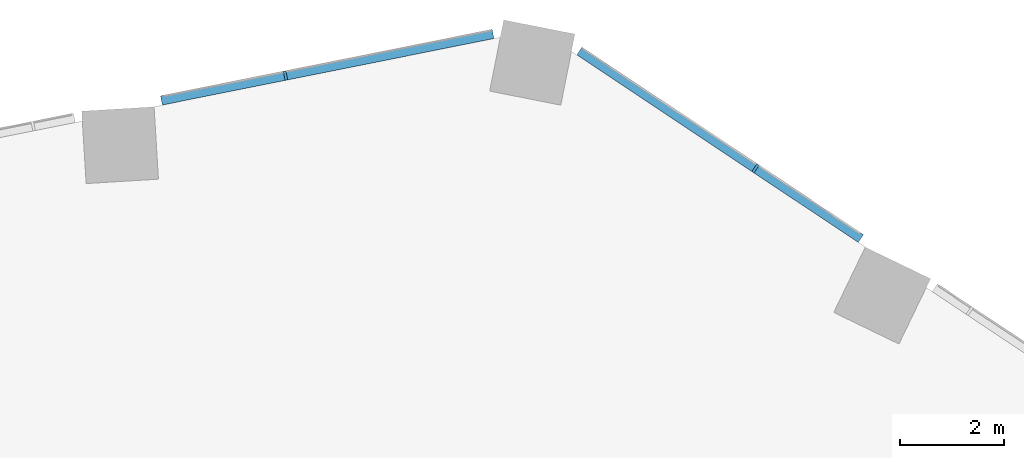
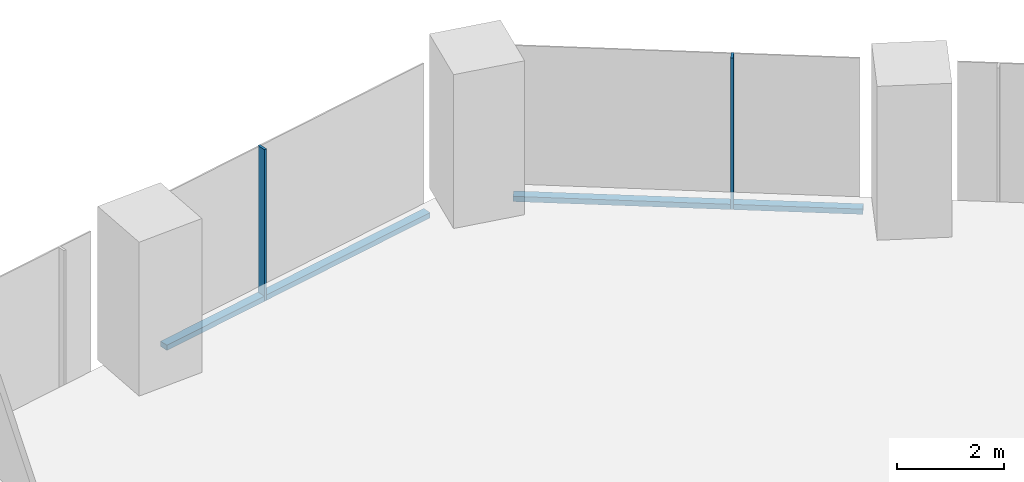
# One storey, part 14 of 38: 4 members, 2 elements without a shape of their own.
"""IFC4 building model written with IfcOpenShell, lengths in metres."""

from ifc_helpers import new_model, si_unit, direction, frame, origin, origin_2d, place, context, subcontext, project, spatial, rectangle, extrude, material, material_profile, profile_set, type_object, element, aggregate, save


model = new_model("IFC4")

# Units and contexts
model_context = context("Model", 3, precision=1e-05, world=origin(), true_north=direction((0.0, 1.0)))
body_context = subcontext(model_context, "Body", "Model", "MODEL_VIEW")
ifc_project = project(units=[si_unit("LENGTHUNIT", "METRE"), si_unit("AREAUNIT", "SQUARE_METRE"), si_unit("VOLUMEUNIT", "CUBIC_METRE"), si_unit("PLANEANGLEUNIT", "RADIAN"), si_unit("MASSUNIT", "GRAM", prefix="KILO")], contexts=[model_context])

# Site, building, storey
site_placement = place(None, origin())
site = spatial("IfcSite", under=ifc_project, at=site_placement, CompositionType="ELEMENT")
building_placement = place(site_placement, origin())
building = spatial("IfcBuilding", under=site, at=building_placement, Name="Orlundy Tower", CompositionType="ELEMENT")
storey_placement = place(building_placement, frame((0.0, 0.0, 69.300048828125)))
storey = spatial("IfcBuildingStorey", under=building, at=storey_placement, Name="L16", CompositionType="ELEMENT", Elevation=69.300048828125)

# Curtain wall, member
ifc_material_1 = material(Name="Aluminium bronze anodised", Category="aluminium")
curtain_wall_type = type_object("IfcCurtainWallType", Name="CW1 wall", PredefinedType="NOTDEFINED", material=ifc_material_1)
curtain_wall_1_placement = place(storey_placement, origin())
curtain_wall_1 = element("IfcCurtainWall", 1, at=curtain_wall_1_placement, inside=storey, type_object=curtain_wall_type, Name="CW1 run 015", PredefinedType="NOTDEFINED")
ifc_material_2 = material(Name="Aluminium bronze anodised", Category="aluminium")
ifc_material_profile_1 = material_profile(ifc_material_2, rectangle(XDim=0.179931640625, YDim=0.050048828125, at=origin_2d()), Name="CW1 mullion 50x180")
ifc_profile_set_1 = profile_set([ifc_material_profile_1], Name="Aluminium bronze anodised")
member_type_1 = type_object("IfcMemberType", Name="CW1 mullion 50x180", PredefinedType="MULLION", material=ifc_profile_set_1)
member_1_placement = place(storey_placement, frame((1.3974609375, 30.968505859375, -0.400146484375), z_axis=(0.0, 0.0, 1.0), x_axis=(-0.196510737775, 0.980501672583, 0.0)))
member_1 = element("IfcMember", 2, at=member_1_placement, type_object=member_type_1, Name="CW1 mullion 43", PredefinedType="MULLION", context=body_context, shape_type="SweptSolid", body=[
    extrude(rectangle(XDim=0.179931640625, YDim=0.050048828125, at=origin_2d()), origin(), (0.0, 0.0, 1.0), 3.4501953125),
])

curtain_wall_2_placement = place(storey_placement, origin())
curtain_wall_2 = element("IfcCurtainWall", 3, at=curtain_wall_2_placement, inside=storey, type_object=curtain_wall_type, Name="CW1 run 016", PredefinedType="NOTDEFINED")
member_2_placement = place(storey_placement, frame((10.4755859375, 29.176513671875, -0.400146484375), z_axis=(0.0, 0.0, 1.0), x_axis=(0.554356579774, 0.832279269513, 0.0)))
member_2 = element("IfcMember", 4, at=member_2_placement, type_object=member_type_1, Name="CW1 mullion 45", PredefinedType="MULLION", context=body_context, shape_type="SweptSolid", body=[
    extrude(rectangle(XDim=0.179931640625, YDim=0.050048828125, at=origin_2d()), origin(), (0.0, 0.0, 1.0), 3.4501953125),
])

# Member
ifc_material_3 = material(Name="Aluminium bronze anodised", Category="aluminium")
ifc_material_profile_2 = material_profile(ifc_material_3, rectangle(XDim=0.179931640625, YDim=0.1201171875, at=origin_2d()), Name="CW1 transom 180x120")
ifc_profile_set_2 = profile_set([ifc_material_profile_2], Name="Aluminium bronze anodised")
member_type_2 = type_object("IfcMemberType", Name="CW1 transom 180x120", PredefinedType="USERDEFINED", material=ifc_profile_set_2)
member_3_placement = place(storey_placement, frame((-0.997802734375, 30.48828125, -0.340087890625), z_axis=(0.980498633582, 0.19652590044, 0.0), x_axis=(-0.19652590044, 0.980498633582, 0.0)))
member_3 = element("IfcMember", 5, at=member_3_placement, type_object=member_type_2, Name="CW1 transom", ObjectType="TRANSOM", PredefinedType="USERDEFINED", context=body_context, shape_type="SweptSolid", body=[
    extrude(rectangle(XDim=0.179931640625, YDim=0.1201171875, at=origin_2d()), origin(), (0.0, 0.0, 1.0), 6.53076171875),
])

aggregate(curtain_wall_1, [member_1, member_3])

member_4_placement = place(storey_placement, frame((7.073486328125, 31.442626953125, -0.340087890625), z_axis=(0.832280257584, -0.554355096338, 0.0), x_axis=(0.554355096338, 0.832280257584, 0.0)))
member_4 = element("IfcMember", 6, at=member_4_placement, type_object=member_type_2, Name="CW1 transom", ObjectType="TRANSOM", PredefinedType="USERDEFINED", context=body_context, shape_type="SweptSolid", body=[
    extrude(rectangle(XDim=0.179931640625, YDim=0.1201171875, at=origin_2d()), origin(), (0.0, 0.0, 1.0), 6.53125),
])

aggregate(curtain_wall_2, [member_2, member_4])

save(model, "model.ifc")
